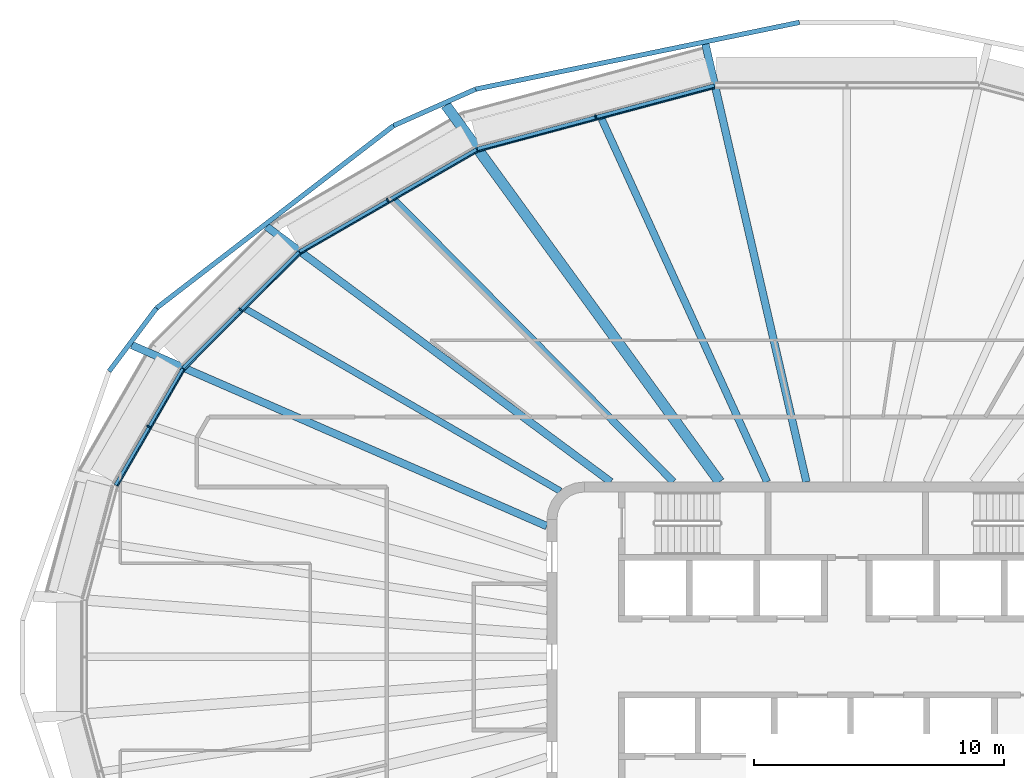
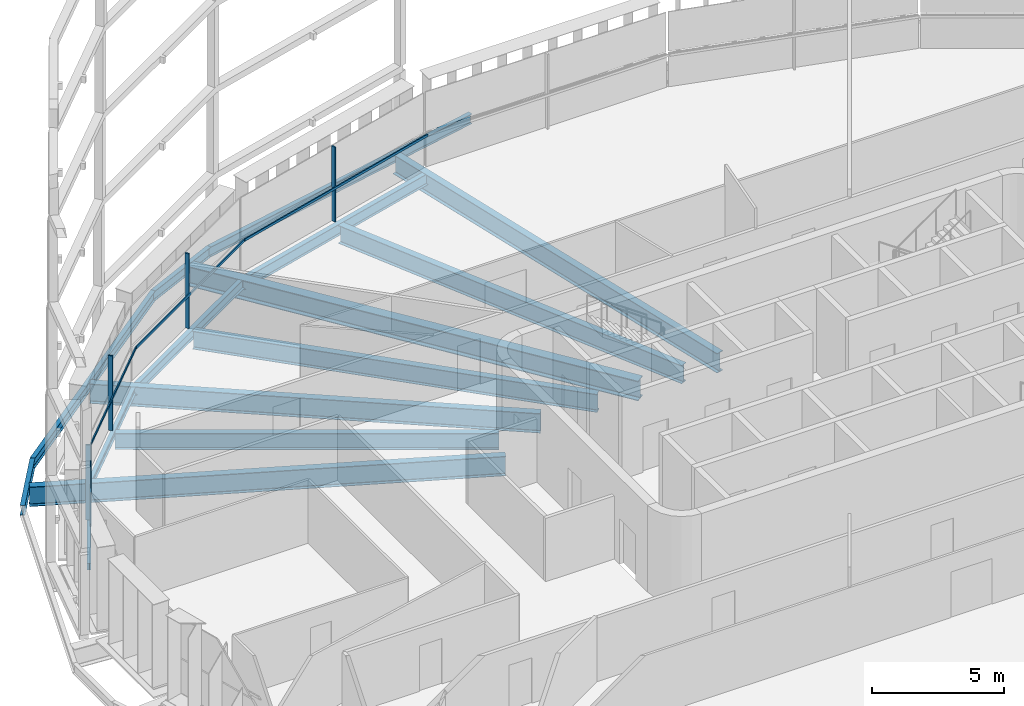
# One storey, part 5 of 20: 15 beams, 8 members, 4 elements without a shape of their own.
"""IFC4 building model written with IfcOpenShell, lengths in metres."""

import ifcopenshell
import ifcopenshell.guid

model = None  # the IFC model being written
_history = None  # IfcOwnerHistory: only IFC2X3 demands one
_inside = {}  # id of a spatial element -> (the spatial element, [elements in it])
_under = {}  # id of a project, library or spatial element -> (it, [spatial elements below it])
_declared = {}  # id of a project -> (the project, [libraries it declares])
_typed = {}  # id of a type object -> (the type object, [elements of that type])
_made_of = {}  # id of a material, layer set ... -> (it, [elements and type objects made of it])


def new_model(schema):
    """Start an empty IFC model of exactly this schema.

    Asked for "IFC4X3", IfcOpenShell would pick the latest addendum, in which some entities
    have other attributes; the version numbers below select the first issue.
    IFC2X3 requires an IfcOwnerHistory on every rooted entity: one is made here for all.
    """
    global model, _history
    if schema == "IFC4X3":
        model = ifcopenshell.file(schema_version=(4, 3, 0, 0))
    else:
        model = ifcopenshell.file(schema=schema)
    _inside.clear()
    _under.clear()
    _declared.clear()
    _typed.clear()
    _made_of.clear()
    _history = None
    if model.schema == "IFC2X3":
        org = make("IfcOrganization", Name="unknown")
        user = make(
            "IfcPersonAndOrganization",
            ThePerson=make("IfcPerson", FamilyName="unknown"),
            TheOrganization=org,
        )
        app = make(
            "IfcApplication",
            ApplicationDeveloper=org,
            Version="unknown",
            ApplicationFullName="unknown",
            ApplicationIdentifier="unknown",
        )
        _history = make(
            "IfcOwnerHistory",
            OwningUser=user,
            OwningApplication=app,
            ChangeAction="ADDED",
            CreationDate=0,
        )
    return model


def make(cls, **values):
    """One entity of the class cls with the attributes given. An attribute that is None is left unset."""
    return model.create_entity(
        cls, **{name: value for name, value in values.items() if value is not None}
    )


def rooted(cls, **values):
    """An entity with a GlobalId (a new one), such as an element, a storey or a relation."""
    return make(cls, GlobalId=ifcopenshell.guid.new(), OwnerHistory=_history, **values)


def si_unit(unit_type, name, prefix=None):
    """IfcSIUnit, for example si_unit("LENGTHUNIT", "METRE", prefix="MILLI")."""
    return make("IfcSIUnit", UnitType=unit_type, Prefix=prefix, Name=name)


def assignment(units):
    """IfcUnitAssignment: the units of a project."""
    return None if units is None else make("IfcUnitAssignment", Units=units)


def point(xyz):
    """IfcCartesianPoint."""
    return None if xyz is None else make("IfcCartesianPoint", Coordinates=xyz)


def direction(xyz):
    """IfcDirection."""
    return None if xyz is None else make("IfcDirection", DirectionRatios=xyz)


def frame(location, z_axis=None, x_axis=None):
    """IfcAxis2Placement3D, a coordinate frame: its origin and axes. An axis left out is left unset."""
    return make(
        "IfcAxis2Placement3D",
        Location=point(location),
        Axis=direction(z_axis),
        RefDirection=direction(x_axis),
    )


def frame_2d(location, x_axis=None):
    """IfcAxis2Placement2D, a coordinate frame in the plane: its origin and x axis."""
    return make(
        "IfcAxis2Placement2D", Location=point(location), RefDirection=direction(x_axis)
    )


def origin():
    """The frame at (0, 0, 0) with its axes left unset."""
    return frame((0.0, 0.0, 0.0))


def origin_2d():
    """The frame at (0, 0) in the plane with its x axis left unset."""
    return frame_2d((0.0, 0.0))


def place(relative_to, where):
    """IfcLocalPlacement: puts the frame where relative to a parent placement (None: the world)."""
    return make(
        "IfcLocalPlacement", PlacementRelTo=relative_to, RelativePlacement=where
    )


def context(
    kind, dimensions, precision=None, world=None, true_north=None, identifier=None
):
    """IfcGeometricRepresentationContext, for example the 3D "Model" context."""
    return make(
        "IfcGeometricRepresentationContext",
        ContextIdentifier=identifier,
        ContextType=kind,
        CoordinateSpaceDimension=dimensions,
        Precision=precision,
        WorldCoordinateSystem=world,
        TrueNorth=true_north,
    )


def subcontext(parent, identifier, kind, view, scale=None):
    """IfcGeometricRepresentationSubContext, for example "Body" below "Model"."""
    return make(
        "IfcGeometricRepresentationSubContext",
        ContextIdentifier=identifier,
        ContextType=kind,
        ParentContext=parent,
        TargetScale=scale,
        TargetView=view,
    )


def project(units=None, contexts=None):
    """IfcProject with its units and contexts."""
    return rooted(
        "IfcProject",
        Name="project",
        RepresentationContexts=contexts,
        UnitsInContext=assignment(units),
    )


def spatial(cls, under=None, at=None, **own):
    """A site, building, storey or space (cls), placed at a placement, below another one or the project."""
    s = rooted(cls, ObjectPlacement=at, **own)
    if under is not None:
        _under.setdefault(under.id(), (under, []))[1].append(s)
    return s


def profile(cls, at=None, kind="AREA", **sizes):
    """A parametric profile (cls). Its sizes go by their IFC names, for example OverallWidth=200.0."""
    return make(cls, ProfileType=kind, Position=at, **sizes)


def rectangle(**sizes):
    """IfcRectangleProfileDef."""
    return profile("IfcRectangleProfileDef", **sizes)


def i_section(**sizes):
    """IfcIShapeProfileDef."""
    return profile("IfcIShapeProfileDef", **sizes)


def extrude(swept, where, along, depth):
    """IfcExtrudedAreaSolid: the profile swept, set in the frame where, extruded along a direction by depth."""
    return make(
        "IfcExtrudedAreaSolid",
        SweptArea=swept,
        Position=where,
        ExtrudedDirection=direction(along),
        Depth=depth,
    )


def shape(context_of_items, identifier, shape_type, items):
    """IfcShapeRepresentation: the items that make up one representation, for example the "Body"."""
    return make(
        "IfcShapeRepresentation",
        ContextOfItems=context_of_items,
        RepresentationIdentifier=identifier,
        RepresentationType=shape_type,
        Items=items,
    )


def material(Name=None, Category=None):
    """IfcMaterial."""
    return make("IfcMaterial", Name=Name, Category=Category)


def layer(
    of_material, thickness, ventilated=None, Name=None, Category=None, Priority=None
):
    """IfcMaterialLayer: one layer of a wall or slab, of a material (None: an air gap)."""
    return make(
        "IfcMaterialLayer",
        Material=of_material,
        LayerThickness=thickness,
        IsVentilated=ventilated,
        Name=Name,
        Category=Category,
        Priority=Priority,
    )


def layer_set(layers, Name=None):
    """IfcMaterialLayerSet."""
    return make("IfcMaterialLayerSet", MaterialLayers=layers, LayerSetName=Name)


def material_profile(
    of_material, cross_section, Name=None, Category=None, Priority=None
):
    """IfcMaterialProfile: a cross section and its material."""
    return make(
        "IfcMaterialProfile",
        Name=Name,
        Material=of_material,
        Profile=cross_section,
        Priority=Priority,
        Category=Category,
    )


def profile_set(profiles, Name=None, composite=None):
    """IfcMaterialProfileSet."""
    return make(
        "IfcMaterialProfileSet",
        Name=Name,
        MaterialProfiles=profiles,
        CompositeProfile=composite,
    )


def made_of(thing, what):
    """Note that an element or type object is made of a material, layer set ...; save() writes the relation."""
    if what is not None:
        _made_of.setdefault(what.id(), (what, []))[1].append(thing)
    return thing


def type_object(cls, material=None, **own):
    """A type object (cls), such as IfcWallType, which elements share."""
    return made_of(rooted(cls, **own), material)


def element(
    cls,
    number,
    at=None,
    inside=None,
    cuts=None,
    type_object=None,
    material=None,
    context=None,
    identifier="Body",
    shape_type=None,
    held_by="IfcProductDefinitionShape",
    body=None,
    shapes=None,
    **own,
):
    """One element of the class cls, such as IfcWall. Its Tag is "e" and its number.

    at: its placement. inside: the storey or other place that contains it. cuts: it is an
    opening in that element (IfcRelVoidsElement). A single representation is given by context,
    identifier, shape_type and body (its items); several are given by shapes. held_by: the class
    of the entity that holds the representations. save() writes the other relations.
    """
    e = rooted(cls, Tag="e%d" % number, ObjectPlacement=at, **own)
    if body is not None:
        shapes = [shape(context, identifier, shape_type, body)]
    if shapes is not None:
        e.Representation = make(held_by, Representations=shapes)
    if inside is not None:
        _inside.setdefault(inside.id(), (inside, []))[1].append(e)
    if cuts is not None:
        rooted(
            "IfcRelVoidsElement", RelatingBuildingElement=cuts, RelatedOpeningElement=e
        )
    if type_object is not None:
        _typed.setdefault(type_object.id(), (type_object, []))[1].append(e)
    return made_of(e, material)


def aggregate(whole, parts):
    """IfcRelAggregates: a whole, such as a stair, and the parts it consists of."""
    return rooted("IfcRelAggregates", RelatingObject=whole, RelatedObjects=parts)


def save(model, path):
    """Write the relations noted so far, then the file.

    IfcRelAggregates (storeys below a building ...), IfcRelContainedInSpatialStructure (elements
    in a storey), IfcRelDefinesByType, IfcRelAssociatesMaterial and IfcRelDeclares: one each for
    every whole, place, type object, material and project.
    """
    for whole, parts in _under.values():
        aggregate(whole, parts)
    for where, things in _inside.values():
        rooted(
            "IfcRelContainedInSpatialStructure",
            RelatedElements=things,
            RelatingStructure=where,
        )
    for kind, things in _typed.values():
        rooted("IfcRelDefinesByType", RelatedObjects=things, RelatingType=kind)
    for what, things in _made_of.values():
        rooted("IfcRelAssociatesMaterial", RelatedObjects=things, RelatingMaterial=what)
    for by, libraries in _declared.values():
        rooted("IfcRelDeclares", RelatingContext=by, RelatedDefinitions=libraries)
    model.write(path)


model = new_model("IFC4")

# Units and contexts
model_context = context("Model", 3, precision=1e-05, world=origin(), true_north=direction((0.0, 1.0)))
body_context = subcontext(model_context, "Body", "Model", "MODEL_VIEW")
ifc_project = project(units=[si_unit("LENGTHUNIT", "METRE"), si_unit("AREAUNIT", "SQUARE_METRE"), si_unit("VOLUMEUNIT", "CUBIC_METRE"), si_unit("PLANEANGLEUNIT", "RADIAN"), si_unit("MASSUNIT", "GRAM", prefix="KILO")], contexts=[model_context])

# Site, building, storey
site_placement = place(None, origin())
site = spatial("IfcSite", under=ifc_project, at=site_placement, CompositionType="ELEMENT")
building_placement = place(site_placement, origin())
building = spatial("IfcBuilding", under=site, at=building_placement, Name="Sahrelin Media Tower", CompositionType="ELEMENT")
storey_placement = place(building_placement, frame((0.0, 0.0, 213.60009765625)))
storey = spatial("IfcBuildingStorey", under=building, at=storey_placement, Name="L45", CompositionType="ELEMENT", Elevation=213.60009765625)

# Beams
ifc_material_1 = material(Name="Steel S355", Category="steel")
ifc_material_profile_1 = material_profile(ifc_material_1, i_section(OverallWidth=0.1650390625, OverallDepth=0.303466796875, WebThickness=0.006103515625, FlangeThickness=0.01025390625, FilletRadius=0.0087890625, at=origin_2d()), Name="UB 305x165x40")
ifc_profile_set_1 = profile_set([ifc_material_profile_1], Name="Steel S355")
beam_type_1 = type_object("IfcBeamType", Name="Edge beam EB2", PredefinedType="BEAM", material=ifc_profile_set_1)
beam_1_placement = place(storey_placement, frame((-29.236083984375, 6.865234375, -0.3017578125), z_axis=(0.499992359988, 0.866029814703, 0.0), x_axis=(-0.866029814703, 0.499992359988, 0.0)))
element("IfcBeam", 1, at=beam_1_placement, inside=storey, type_object=beam_type_1, Name="Edge beam L45-15", PredefinedType="BEAM", context=body_context, shape_type="SweptSolid", body=[
    extrude(i_section(OverallWidth=0.1650390625, OverallDepth=0.303466796875, WebThickness=0.006103515625, FlangeThickness=0.01025390625, FilletRadius=0.0087890625, at=origin_2d()), origin(), (0.0, 0.0, 1.0), 5.37646484375),
])
ifc_material_profile_2 = material_profile(ifc_material_1, i_section(OverallWidth=0.17138671875, OverallDepth=0.35498046875, WebThickness=0.00732421875, FlangeThickness=0.011474609375, FilletRadius=0.01025390625, at=origin_2d()), Name="UB 356x171x51")
ifc_profile_set_2 = profile_set([ifc_material_profile_2], Name="Steel S355")
beam_type_2 = type_object("IfcBeamType", Name="Edge beam EB3", PredefinedType="BEAM", material=ifc_profile_set_2)
beam_2_placement = place(storey_placement, frame((-26.5302734375, 11.54443359375, -0.32763671875), z_axis=(0.70712542778, 0.707088134102, 0.0), x_axis=(-0.707088134102, 0.70712542778, 0.0)))
element("IfcBeam", 2, at=beam_2_placement, inside=storey, type_object=beam_type_2, Name="Edge beam L45-16", PredefinedType="BEAM", context=body_context, shape_type="SweptSolid", body=[
    extrude(i_section(OverallWidth=0.17138671875, OverallDepth=0.35498046875, WebThickness=0.00732421875, FlangeThickness=0.011474609375, FilletRadius=0.01025390625, at=origin_2d()), origin(), (0.0, 0.0, 1.0), 6.54638671875),
])
ifc_material_profile_3 = material_profile(ifc_material_1, i_section(OverallWidth=0.1904296875, OverallDepth=0.45703125, WebThickness=0.009033203125, FlangeThickness=0.014404296875, FilletRadius=0.01025390625, at=origin_2d()), Name="UB 457x191x74")
ifc_profile_set_3 = profile_set([ifc_material_profile_3], Name="Steel S355")
beam_type_3 = type_object("IfcBeamType", Name="Edge beam EB5", PredefinedType="BEAM", material=ifc_profile_set_3)
beam_3_placement = place(storey_placement, frame((-21.87841796875, 16.19091796875, -0.378662109375), z_axis=(0.866027444383, 0.499996465562, 0.0), x_axis=(-0.499996465562, 0.866027444383, 0.0)))
element("IfcBeam", 3, at=beam_3_placement, inside=storey, type_object=beam_type_3, Name="Edge beam L45-17", PredefinedType="BEAM", context=body_context, shape_type="SweptSolid", body=[
    extrude(i_section(OverallWidth=0.1904296875, OverallDepth=0.45703125, WebThickness=0.009033203125, FlangeThickness=0.014404296875, FilletRadius=0.01025390625, at=origin_2d()), origin(), (0.0, 0.0, 1.0), 8.17529296875),
])
ifc_material_profile_4 = material_profile(ifc_material_1, i_section(OverallWidth=0.208740234375, OverallDepth=0.5283203125, WebThickness=0.009521484375, FlangeThickness=0.01318359375, FilletRadius=0.0126953125, at=origin_2d()), Name="UB 533x210x82")
ifc_profile_set_4 = profile_set([ifc_material_profile_4], Name="Steel S355")
beam_type_4 = type_object("IfcBeamType", Name="Edge beam EB6", PredefinedType="BEAM", material=ifc_profile_set_4)
beam_4_placement = place(storey_placement, frame((-14.771728515625, 20.28955078125, -0.414306640625), z_axis=(0.965926499263, 0.258816533518, 0.0), x_axis=(-0.258816533518, 0.965926499263, 0.0)))
element("IfcBeam", 4, at=beam_4_placement, inside=storey, type_object=beam_type_4, Name="Edge beam L45-18", PredefinedType="BEAM", context=body_context, shape_type="SweptSolid", body=[
    extrude(i_section(OverallWidth=0.208740234375, OverallDepth=0.5283203125, WebThickness=0.009521484375, FlangeThickness=0.01318359375, FilletRadius=0.0126953125, at=origin_2d()), origin(), (0.0, 0.0, 1.0), 9.809326171875),
])

# Curtain wall, member
ifc_material_2 = material(Name="Champagne anodised aluminium 6063-T6", Category="aluminium")
ifc_layer = layer(ifc_material_2, 0.14990234375)
ifc_layer_set = layer_set([ifc_layer], Name="Tower ribbon curtain wall")
curtain_wall_type = type_object("IfcCurtainWallType", Name="Tower ribbon curtain wall", PredefinedType="NOTDEFINED", material=ifc_layer_set)
curtain_wall_1_placement = place(storey_placement, frame((-10.072998046875, 21.703857421875, 0.0), z_axis=(0.0, 0.0, 1.0), x_axis=(1.0, 0.0, 0.0)))
curtain_wall_1 = element("IfcCurtainWall", 5, at=curtain_wall_1_placement, inside=storey, type_object=curtain_wall_type, Name="L45:CW:L45-07", PredefinedType="NOTDEFINED")
ifc_material_profile_5 = material_profile(ifc_material_2, rectangle(XDim=0.06005859375, YDim=0.175048828125, at=origin_2d()), Name="Mullion 60x175")
ifc_profile_set_5 = profile_set([ifc_material_profile_5], Name="Champagne anodised aluminium 6063-T6")
member_type_1 = type_object("IfcMemberType", Name="Mullion 60x175 CW1B", PredefinedType="MULLION", material=ifc_profile_set_5)
member_1_placement = place(storey_placement, frame((-10.045166015625, 21.60009765625, 0.0), z_axis=(0.0, 0.0, 1.0), x_axis=(-0.965925374563, -0.258820730961, 0.0)))
member_1 = element("IfcMember", 6, at=member_1_placement, type_object=member_type_1, Name="L45:CWM:L45-07", PredefinedType="MULLION", context=body_context, shape_type="SweptSolid", body=[
    extrude(rectangle(XDim=0.06005859375, YDim=0.175048828125, at=origin_2d()), origin(), (0.0, 0.0, 1.0), 3.448486328125),
])

curtain_wall_2_placement = place(storey_placement, frame((-18.413330078125, 18.36474609375, 0.0), z_axis=(0.0, 0.0, 1.0), x_axis=(1.0, 0.0, 0.0)))
curtain_wall_2 = element("IfcCurtainWall", 7, at=curtain_wall_2_placement, inside=storey, type_object=curtain_wall_type, Name="L45:CW:L45-08", PredefinedType="NOTDEFINED")
member_2_placement = place(storey_placement, frame((-18.359619140625, 18.271484375, 0.0), z_axis=(0.0, 0.0, 1.0), x_axis=(-0.866024531118, -0.500001511499, 0.0)))
member_2 = element("IfcMember", 8, at=member_2_placement, type_object=member_type_1, Name="L45:CWM:L45-08", PredefinedType="MULLION", context=body_context, shape_type="SweptSolid", body=[
    extrude(rectangle(XDim=0.06005859375, YDim=0.175048828125, at=origin_2d()), origin(), (0.0, 0.0, 1.0), 3.448486328125),
])

curtain_wall_3_placement = place(storey_placement, frame((-24.32177734375, 13.965087890625, 0.0), z_axis=(0.0, 0.0, 1.0), x_axis=(1.0, 0.0, 0.0)))
curtain_wall_3 = element("IfcCurtainWall", 9, at=curtain_wall_3_placement, inside=storey, type_object=curtain_wall_type, Name="L45:CW:L45-09", PredefinedType="NOTDEFINED")
member_3_placement = place(storey_placement, frame((-24.245849609375, 13.888916015625, 0.0), z_axis=(0.0, 0.0, 1.0), x_axis=(-0.707114185953, -0.707099376343, 0.0)))
member_3 = element("IfcMember", 10, at=member_3_placement, type_object=member_type_1, Name="L45:CWM:L45-09", PredefinedType="MULLION", context=body_context, shape_type="SweptSolid", body=[
    extrude(rectangle(XDim=0.06005859375, YDim=0.175048828125, at=origin_2d()), origin(), (0.0, 0.0, 1.0), 3.448486328125),
])

curtain_wall_4_placement = place(storey_placement, frame((-28.02197265625, 9.268310546875, 0.0), z_axis=(0.0, 0.0, 1.0), x_axis=(1.0, 0.0, 0.0)))
curtain_wall_4 = element("IfcCurtainWall", 11, at=curtain_wall_4_placement, inside=storey, type_object=curtain_wall_type, Name="L45:CW:L45-10", PredefinedType="NOTDEFINED")
member_4_placement = place(storey_placement, frame((-27.9287109375, 9.214599609375, 0.0), z_axis=(0.0, 0.0, 1.0), x_axis=(-0.4999984885, -0.866026276448, 0.0)))
member_4 = element("IfcMember", 12, at=member_4_placement, type_object=member_type_1, Name="L45:CWM:L45-10", PredefinedType="MULLION", context=body_context, shape_type="SweptSolid", body=[
    extrude(rectangle(XDim=0.06005859375, YDim=0.175048828125, at=origin_2d()), origin(), (0.0, 0.0, 1.0), 3.448486328125),
])

# Beams
ifc_material_profile_6 = material_profile(ifc_material_1, i_section(OverallWidth=0.30322265625, OverallDepth=0.903076171875, WebThickness=0.01513671875, FlangeThickness=0.020263671875, FilletRadius=0.01904296875, at=origin_2d()), Name="UB 914x305x201")
ifc_profile_set_6 = profile_set([ifc_material_profile_6], Name="Steel S355")
beam_type_5 = type_object("IfcBeamType", Name="Radial primary beam PB11", PredefinedType="BEAM", material=ifc_profile_set_6)
beam_5_placement = place(storey_placement, frame((-1.614990234375, 7.0, -0.6015625), z_axis=(-0.22481485709, 0.974401498373, 0.0), x_axis=(-0.974401498373, -0.22481485709, 0.0)))
element("IfcBeam", 13, at=beam_5_placement, inside=storey, type_object=beam_type_5, Name="Radial beam L45-07", PredefinedType="BEAM", context=body_context, shape_type="SweptSolid", body=[
    extrude(i_section(OverallWidth=0.30322265625, OverallDepth=0.903076171875, WebThickness=0.01513671875, FlangeThickness=0.020263671875, FilletRadius=0.01904296875, at=origin_2d()), origin(), (0.0, 0.0, 1.0), 17.970458984375),
])
beam_6_placement = place(storey_placement, frame((-9.4384765625, 7.0, -0.6015625), z_axis=(-0.803209621637, 0.595696486232, 0.0), x_axis=(-0.595696486232, -0.803209621637, 0.0)))
element("IfcBeam", 14, at=beam_6_placement, inside=storey, type_object=beam_type_5, Name="Radial beam L45-09", PredefinedType="BEAM", context=body_context, shape_type="SweptSolid", body=[
    extrude(i_section(OverallWidth=0.30322265625, OverallDepth=0.903076171875, WebThickness=0.01513671875, FlangeThickness=0.020263671875, FilletRadius=0.01904296875, at=origin_2d()), origin(), (0.0, 0.0, 1.0), 17.153564453125),
])
beam_7_placement = place(storey_placement, frame((-12.0, 5.23291015625, -0.6015625), z_axis=(-0.916633040882, 0.399729744156, 0.0), x_axis=(-0.399729744156, -0.916633040882, 0.0)))
element("IfcBeam", 15, at=beam_7_placement, inside=storey, type_object=beam_type_5, Name="Radial beam L45-10", PredefinedType="BEAM", context=body_context, shape_type="SweptSolid", body=[
    extrude(i_section(OverallWidth=0.30322265625, OverallDepth=0.903076171875, WebThickness=0.01513671875, FlangeThickness=0.020263671875, FilletRadius=0.01904296875, at=origin_2d()), origin(), (0.0, 0.0, 1.0), 18.11474609375),
])
ifc_material_profile_7 = material_profile(ifc_material_1, i_section(OverallWidth=0.41845703125, OverallDepth=0.911865234375, WebThickness=0.019287109375, FlangeThickness=0.031982421875, FilletRadius=0.024169921875, at=origin_2d()), Name="UB 914x419x343")
ifc_profile_set_7 = profile_set([ifc_material_profile_7], Name="Steel S355")
beam_type_6 = type_object("IfcBeamType", Name="Radial primary beam PB12", PredefinedType="BEAM", material=ifc_profile_set_7)
beam_8_placement = place(storey_placement, frame((-5.0869140625, 7.0, -0.60595703125), z_axis=(-0.587886584188, 0.808943362747, 0.0), x_axis=(-0.808943362747, -0.587886584188, 0.0)))
element("IfcBeam", 16, at=beam_8_placement, inside=storey, type_object=beam_type_6, Name="Radial beam L45-08", PredefinedType="BEAM", context=body_context, shape_type="SweptSolid", body=[
    extrude(i_section(OverallWidth=0.41845703125, OverallDepth=0.911865234375, WebThickness=0.019287109375, FlangeThickness=0.031982421875, FilletRadius=0.024169921875, at=origin_2d()), origin(), (0.0, 0.0, 1.0), 18.63720703125),
])
ifc_material_profile_8 = material_profile(ifc_material_1, i_section(OverallWidth=0.291748046875, OverallDepth=0.8349609375, WebThickness=0.013916015625, FlangeThickness=0.018798828125, FilletRadius=0.017822265625, at=origin_2d()), Name="UB 838x292x176")
ifc_profile_set_8 = profile_set([ifc_material_profile_8], Name="Steel S355")
beam_type_7 = type_object("IfcBeamType", Name="Radial secondary beam SB10", PredefinedType="BEAM", material=ifc_profile_set_8)
beam_9_placement = place(storey_placement, frame((-3.18994140625, 7.0, -0.567626953125), z_axis=(-0.414690814889, 0.90996237727, 0.0), x_axis=(-0.90996237727, -0.414690814889, 0.0)))
element("IfcBeam", 17, at=beam_9_placement, inside=storey, type_object=beam_type_7, Name="Secondary beam L45-07", PredefinedType="BEAM", context=body_context, shape_type="SweptSolid", body=[
    extrude(i_section(OverallWidth=0.291748046875, OverallDepth=0.8349609375, WebThickness=0.013916015625, FlangeThickness=0.018798828125, FilletRadius=0.017822265625, at=origin_2d()), origin(), (0.0, 0.0, 1.0), 15.94873046875),
])
beam_10_placement = place(storey_placement, frame((-6.932373046875, 7.0, -0.567626953125), z_axis=(-0.703673029626, 0.710523938637, 0.0), x_axis=(-0.710523938637, -0.703673029626, 0.0)))
element("IfcBeam", 18, at=beam_10_placement, inside=storey, type_object=beam_type_7, Name="Secondary beam L45-08", PredefinedType="BEAM", context=body_context, shape_type="SweptSolid", body=[
    extrude(i_section(OverallWidth=0.291748046875, OverallDepth=0.8349609375, WebThickness=0.013916015625, FlangeThickness=0.018798828125, FilletRadius=0.017822265625, at=origin_2d()), origin(), (0.0, 0.0, 1.0), 15.858154296875),
])
ifc_material_profile_9 = material_profile(ifc_material_1, i_section(OverallWidth=0.26513671875, OverallDepth=0.75390625, WebThickness=0.0126953125, FlangeThickness=0.017578125, FilletRadius=0.0166015625, at=origin_2d()), Name="UB 762x267x147")
ifc_profile_set_9 = profile_set([ifc_material_profile_9], Name="Steel S355")
beam_type_8 = type_object("IfcBeamType", Name="Radial secondary beam SB9", PredefinedType="BEAM", material=ifc_profile_set_9)
beam_11_placement = place(storey_placement, frame((-11.463623046875, 6.635009765625, -0.527099609375), z_axis=(-0.865485713708, 0.500933607744, 0.0), x_axis=(-0.500933607744, -0.865485713708, 0.0)))
element("IfcBeam", 19, at=beam_11_placement, inside=storey, type_object=beam_type_8, Name="Secondary beam L45-09", PredefinedType="BEAM", context=body_context, shape_type="SweptSolid", body=[
    extrude(i_section(OverallWidth=0.26513671875, OverallDepth=0.75390625, WebThickness=0.0126953125, FlangeThickness=0.017578125, FilletRadius=0.0166015625, at=origin_2d()), origin(), (0.0, 0.0, 1.0), 14.530517578125),
])
ifc_material_profile_10 = material_profile(ifc_material_1, i_section(OverallWidth=0.1904296875, OverallDepth=0.45703125, WebThickness=0.009033203125, FlangeThickness=0.014404296875, FilletRadius=0.01025390625, at=origin_2d()), Name="UB 457x191x74")
ifc_profile_set_10 = profile_set([ifc_material_profile_10], Name="Steel S355")
beam_type_9 = type_object("IfcBeamType", Name="Tie chord TC5", PredefinedType="BEAM", material=ifc_profile_set_10)
beam_12_placement = place(storey_placement, frame((-1.89404296875, 25.38330078125, -0.378662109375), z_axis=(-0.979386755143, -0.201994019341, 0.0), x_axis=(0.201994019341, -0.979386755143, 0.0)))
element("IfcBeam", 20, at=beam_12_placement, inside=storey, type_object=beam_type_9, Name="Tie chord L45-07", PredefinedType="BEAM", context=body_context, shape_type="SweptSolid", body=[
    extrude(i_section(OverallWidth=0.1904296875, OverallDepth=0.45703125, WebThickness=0.009033203125, FlangeThickness=0.014404296875, FilletRadius=0.01025390625, at=origin_2d()), origin(), (0.0, 0.0, 1.0), 13.2275390625),
])
beam_13_placement = place(storey_placement, frame((-14.848876953125, 22.71142578125, -0.378662109375), z_axis=(-0.913836787305, -0.406081674258, 0.0), x_axis=(0.406081674258, -0.913836787305, 0.0)))
element("IfcBeam", 21, at=beam_13_placement, inside=storey, type_object=beam_type_9, Name="Tie chord L45-08", PredefinedType="BEAM", context=body_context, shape_type="SweptSolid", body=[
    extrude(i_section(OverallWidth=0.1904296875, OverallDepth=0.45703125, WebThickness=0.009033203125, FlangeThickness=0.014404296875, FilletRadius=0.01025390625, at=origin_2d()), origin(), (0.0, 0.0, 1.0), 3.58984375),
])
beam_14_placement = place(storey_placement, frame((-18.12939453125, 21.253662109375, -0.378662109375), z_axis=(-0.792444220913, -0.609944388237, 0.0), x_axis=(0.609944388237, -0.792444220913, 0.0)))
element("IfcBeam", 22, at=beam_14_placement, inside=storey, type_object=beam_type_9, Name="Tie chord L45-09", PredefinedType="BEAM", context=body_context, shape_type="SweptSolid", body=[
    extrude(i_section(OverallWidth=0.1904296875, OverallDepth=0.45703125, WebThickness=0.009033203125, FlangeThickness=0.014404296875, FilletRadius=0.01025390625, at=origin_2d()), origin(), (0.0, 0.0, 1.0), 11.967529296875),
])
beam_15_placement = place(storey_placement, frame((-27.613037109375, 13.9541015625, -0.378662109375), z_axis=(-0.600074252543, -0.799944305208, 0.0), x_axis=(0.799944305208, -0.600074252543, 0.0)))
element("IfcBeam", 23, at=beam_15_placement, inside=storey, type_object=beam_type_9, Name="Tie chord L45-10", PredefinedType="BEAM", context=body_context, shape_type="SweptSolid", body=[
    extrude(i_section(OverallWidth=0.1904296875, OverallDepth=0.45703125, WebThickness=0.009033203125, FlangeThickness=0.014404296875, FilletRadius=0.01025390625, at=origin_2d()), origin(), (0.0, 0.0, 1.0), 3.15625),
])

# Member
ifc_material_profile_11 = material_profile(ifc_material_2, rectangle(XDim=0.050048828125, YDim=0.110107421875, at=origin_2d()), Name="Transom 50x110")
ifc_profile_set_11 = profile_set([ifc_material_profile_11], Name="Champagne anodised aluminium 6063-T6")
member_type_2 = type_object("IfcMemberType", Name="Transom 50x110 CW1B", PredefinedType="USERDEFINED", material=ifc_profile_set_11)
member_5_placement = place(storey_placement, frame((-5.293701171875, 22.7568359375, 1.599853515625), z_axis=(-0.965925092581, -0.258821783324, 0.0), x_axis=(0.258821783324, -0.965925092581, 0.0)))
member_5 = element("IfcMember", 24, at=member_5_placement, type_object=member_type_2, Name="L45:CWT:L45-07", ObjectType="TRANSOM", PredefinedType="USERDEFINED", context=body_context, shape_type="SweptSolid", body=[
    extrude(rectangle(XDim=0.050048828125, YDim=0.110107421875, at=origin_2d()), origin(), (0.0, 0.0, 1.0), 9.778076171875),
])

aggregate(curtain_wall_1, [member_1, member_5])

member_6_placement = place(storey_placement, frame((-14.777099609375, 20.210205078125, 1.599853515625), z_axis=(-0.866011347513, -0.500024345386, 0.0), x_axis=(0.500024345386, -0.866011347513, 0.0)))
member_6 = element("IfcMember", 25, at=member_6_placement, type_object=member_type_2, Name="L45:CWT:L45-08", ObjectType="TRANSOM", PredefinedType="USERDEFINED", context=body_context, shape_type="SweptSolid", body=[
    extrude(rectangle(XDim=0.050048828125, YDim=0.110107421875, at=origin_2d()), origin(), (0.0, 0.0, 1.0), 8.1435546875),
])

aggregate(curtain_wall_2, [member_2, member_6])

member_7_placement = place(storey_placement, frame((-21.86279296875, 16.11279296875, 1.599853515625), z_axis=(-0.707125517703, -0.707088044173, 0.0), x_axis=(0.707088044173, -0.707125517703, 0.0)))
member_7 = element("IfcMember", 26, at=member_7_placement, type_object=member_type_2, Name="L45:CWT:L45-09", ObjectType="TRANSOM", PredefinedType="USERDEFINED", context=body_context, shape_type="SweptSolid", body=[
    extrude(rectangle(XDim=0.050048828125, YDim=0.110107421875, at=origin_2d()), origin(), (0.0, 0.0, 1.0), 6.51513671875),
])

aggregate(curtain_wall_3, [member_3, member_7])

member_8_placement = place(storey_placement, frame((-26.4951171875, 11.472900390625, 1.599853515625), z_axis=(-0.499995257159, -0.866028142048, 0.0), x_axis=(0.866028142048, -0.499995257159, 0.0)))
member_8 = element("IfcMember", 27, at=member_8_placement, type_object=member_type_2, Name="L45:CWT:L45-10", ObjectType="TRANSOM", PredefinedType="USERDEFINED", context=body_context, shape_type="SweptSolid", body=[
    extrude(rectangle(XDim=0.050048828125, YDim=0.110107421875, at=origin_2d()), origin(), (0.0, 0.0, 1.0), 5.34521484375),
])

aggregate(curtain_wall_4, [member_4, member_8])

save(model, "model.ifc")
